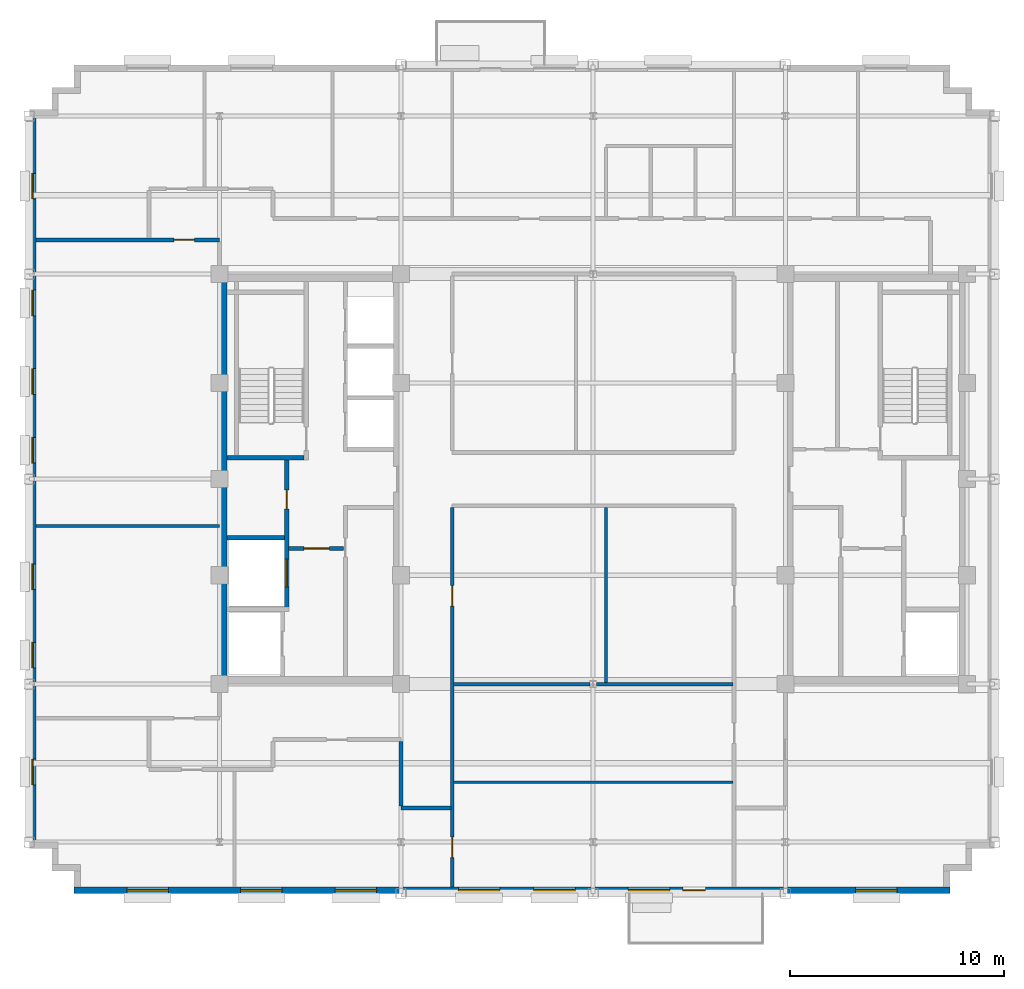
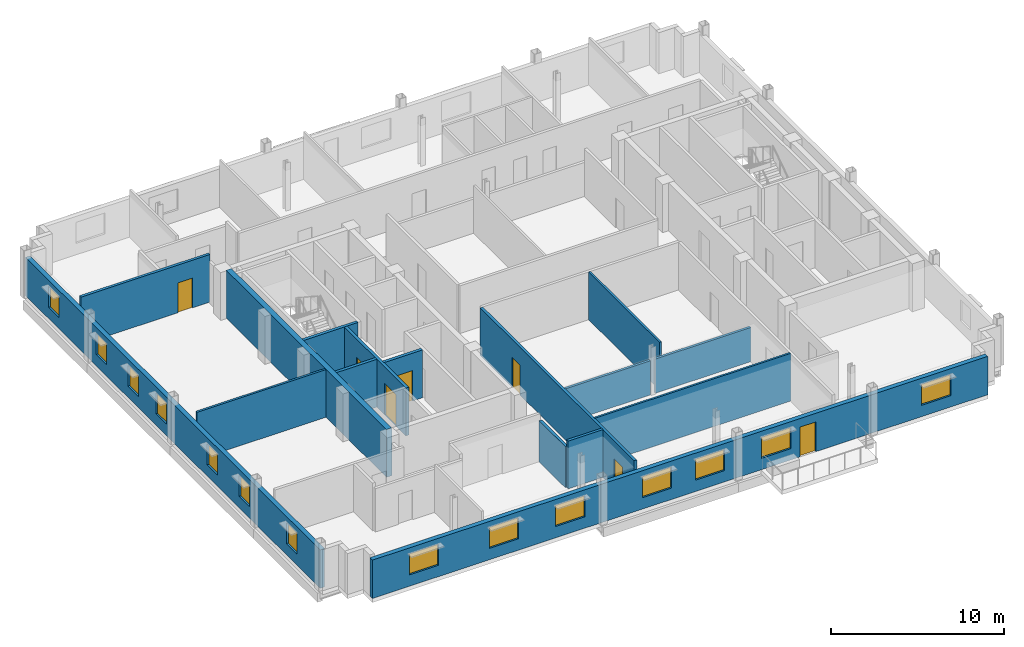
# One storey, part 6 of 13: 16 walls, 14 windows, 7 doors, 21 openings.
"""IFC4 building model written with IfcOpenShell, lengths in metres."""

from ifc_helpers import new_model, si_unit, direction, frame, frame_2d, origin, place, context, subcontext, project, spatial, rectangle, extrude, source, transform, mapped, material, layer, layer_set, type_object, type_shapes, element, fill, save


model = new_model("IFC4")

# Units and contexts
model_context = context("Model", 3, precision=1e-05, world=origin(), true_north=direction((0.0, 1.0)))
body_context = subcontext(model_context, "Body", "Model", "MODEL_VIEW")
ifc_project = project(units=[si_unit("LENGTHUNIT", "METRE"), si_unit("AREAUNIT", "SQUARE_METRE"), si_unit("VOLUMEUNIT", "CUBIC_METRE"), si_unit("PLANEANGLEUNIT", "RADIAN"), si_unit("MASSUNIT", "GRAM", prefix="KILO")], contexts=[model_context])

# Site, building, storey
site_placement = place(None, origin())
site = spatial("IfcSite", under=ifc_project, at=site_placement, CompositionType="ELEMENT")
building_placement = place(site_placement, origin())
building = spatial("IfcBuilding", under=site, at=building_placement, Name="Nuvemarco Arch Tower", CompositionType="ELEMENT")
storey_placement = place(building_placement, frame((0.0, 0.0, 231.050048828125)))
storey = spatial("IfcBuildingStorey", under=building, at=storey_placement, Name="L61", CompositionType="ELEMENT", Elevation=231.050048828125)

# Wall, openings, door, windows
ifc_material_1 = material(Name="Precast concrete C45/55", Category="concrete")
ifc_layer_1 = layer(ifc_material_1, 0.300048828125, Name="EW-HIGH-300")
ifc_layer_set_1 = layer_set([ifc_layer_1], Name="Precast concrete C45/55")
wall_type_1 = type_object("IfcWallType", Name="EW-HIGH-300", PredefinedType="STANDARD", material=ifc_layer_set_1)
wall_1_placement = place(storey_placement, frame((-24.300048828125, -19.25, 0.0), z_axis=(0.0, 0.0, 1.0), x_axis=(1.0, 0.0, 0.0)))
wall_1 = element("IfcWall", 1, at=wall_1_placement, inside=storey, type_object=wall_type_1, Name="L61 exterior precast facade wall 1", PredefinedType="STANDARD", context=body_context, shape_type="SweptSolid", body=[
    extrude(rectangle(XDim=41.0, YDim=0.300048828125, at=frame_2d((20.5, 0.0))), origin(), (0.0, 0.0, 1.0), 2.704833984375),
])
opening_1_placement = place(wall_1_placement, frame((29.550048828125, 0.0, 0.0), z_axis=(0.0, 0.0, 1.0), x_axis=(-1.0, 0.0, 0.0)))
opening_1 = element("IfcOpeningElement", 2, at=opening_1_placement, cuts=wall_1, Name="Opening ED-5", PredefinedType="OPENING", context=body_context, shape_type="SweptSolid", body=[
    extrude(rectangle(XDim=1.050048828125, YDim=2.10009765625, at=frame_2d((0.52490234375, 1.050048828125))), frame((0.0, 0.159912109375, 0.0), z_axis=(0.0, -1.0, 0.0), x_axis=(1.0, 0.0, 0.0)), (0.0, 0.0, 1.0), 0.320068359375),
])
opening_2_placement = place(wall_1_placement, frame((2.46240234375, 0.0, 0.800048828125)))
opening_2 = element("IfcOpeningElement", 3, at=opening_2_placement, cuts=wall_1, Name="Opening WN-7", PredefinedType="OPENING", context=body_context, shape_type="SweptSolid", body=[
    extrude(rectangle(XDim=1.949951171875, YDim=1.47998046875, at=frame_2d((0.97509765625, 0.739990234375))), frame((0.0, 0.159912109375, 0.0), z_axis=(0.0, -1.0, 0.0), x_axis=(1.0, 0.0, 0.0)), (0.0, 0.0, 1.0), 0.320068359375),
])
opening_3_placement = place(wall_1_placement, frame((7.78759765625, 0.0, 0.800048828125)))
opening_3 = element("IfcOpeningElement", 4, at=opening_3_placement, cuts=wall_1, Name="Opening WN-7", PredefinedType="OPENING", context=body_context, shape_type="SweptSolid", body=[
    extrude(rectangle(XDim=1.949951171875, YDim=1.47998046875, at=frame_2d((0.97509765625, 0.739990234375))), frame((0.0, 0.159912109375, 0.0), z_axis=(0.0, -1.0, 0.0), x_axis=(1.0, 0.0, 0.0)), (0.0, 0.0, 1.0), 0.320068359375),
])
opening_4_placement = place(wall_1_placement, frame((12.21240234375, 0.0, 0.800048828125)))
opening_4 = element("IfcOpeningElement", 5, at=opening_4_placement, cuts=wall_1, Name="Opening WN-7", PredefinedType="OPENING", context=body_context, shape_type="SweptSolid", body=[
    extrude(rectangle(XDim=1.949951171875, YDim=1.47998046875, at=frame_2d((0.97509765625, 0.739990234375))), frame((0.0, 0.159912109375, 0.0), z_axis=(0.0, -1.0, 0.0), x_axis=(1.0, 0.0, 0.0)), (0.0, 0.0, 1.0), 0.320068359375),
])
opening_5_placement = place(wall_1_placement, frame((17.987548828125, 0.0, 0.800048828125)))
opening_5 = element("IfcOpeningElement", 6, at=opening_5_placement, cuts=wall_1, Name="Opening WN-7", PredefinedType="OPENING", context=body_context, shape_type="SweptSolid", body=[
    extrude(rectangle(XDim=1.949951171875, YDim=1.47998046875, at=frame_2d((0.97509765625, 0.739990234375))), frame((0.0, 0.159912109375, 0.0), z_axis=(0.0, -1.0, 0.0), x_axis=(1.0, 0.0, 0.0)), (0.0, 0.0, 1.0), 0.320068359375),
])
opening_6_placement = place(wall_1_placement, frame((21.512451171875, 0.0, 0.800048828125)))
opening_6 = element("IfcOpeningElement", 7, at=opening_6_placement, cuts=wall_1, Name="Opening WN-7", PredefinedType="OPENING", context=body_context, shape_type="SweptSolid", body=[
    extrude(rectangle(XDim=1.949951171875, YDim=1.47998046875, at=frame_2d((0.97509765625, 0.739990234375))), frame((0.0, 0.159912109375, 0.0), z_axis=(0.0, -1.0, 0.0), x_axis=(1.0, 0.0, 0.0)), (0.0, 0.0, 1.0), 0.320068359375),
])
opening_7_placement = place(wall_1_placement, frame((25.9375, 0.0, 0.800048828125)))
opening_7 = element("IfcOpeningElement", 8, at=opening_7_placement, cuts=wall_1, Name="Opening WN-7", PredefinedType="OPENING", context=body_context, shape_type="SweptSolid", body=[
    extrude(rectangle(XDim=1.949951171875, YDim=1.47998046875, at=frame_2d((0.97509765625, 0.739990234375))), frame((0.0, 0.159912109375, 0.0), z_axis=(0.0, -1.0, 0.0), x_axis=(1.0, 0.0, 0.0)), (0.0, 0.0, 1.0), 0.320068359375),
])
opening_8_placement = place(wall_1_placement, frame((36.58740234375, 0.0, 0.800048828125)))
opening_8 = element("IfcOpeningElement", 9, at=opening_8_placement, cuts=wall_1, Name="Opening WN-7", PredefinedType="OPENING", context=body_context, shape_type="SweptSolid", body=[
    extrude(rectangle(XDim=1.949951171875, YDim=1.47998046875, at=frame_2d((0.97509765625, 0.739990234375))), frame((0.0, 0.159912109375, 0.0), z_axis=(0.0, -1.0, 0.0), x_axis=(1.0, 0.0, 0.0)), (0.0, 0.0, 1.0), 0.320068359375),
])
ifc_material_2 = material(Name="Anodised bronze and laminated glass", Category="glass")
door_type_1 = type_object("IfcDoorType", Name="DR-EXT-TERR", OperationType="NOTDEFINED", PredefinedType="DOOR", material=ifc_material_2)
shared_shape_1 = source(origin(), body_context, "Body", "SweptSolid", [
    extrude(rectangle(XDim=1.050048828125, YDim=2.10009765625, at=frame_2d((0.52490234375, 1.050048828125))), frame((0.0, 0.02490234375, 0.0), z_axis=(0.0, -1.0, 0.0), x_axis=(1.0, 0.0, 0.0)), (0.0, 0.0, 1.0), 0.050048828125),
])
type_shapes(door_type_1, [shared_shape_1])
door_1_placement = place(opening_1_placement, origin())
door_1 = element("IfcDoor", 10, at=door_1_placement, inside=storey, type_object=door_type_1, Name="L61 spiral terrace access door", OperationType="SINGLE_SWING_RIGHT", OverallHeight=2.10009765625, OverallWidth=1.050048828125, PredefinedType="DOOR", context=body_context, shape_type="MappedRepresentation", body=[
    mapped(shared_shape_1, transform((0.0, 0.0, 0.0), scale=1.0)),
])
fill(opening_1, door_1)
ifc_material_3 = material(Name="Insulated solar-control glass", Category="glass")
window_type_1 = type_object("IfcWindowType", Name="WN-HIGH-1950x1480", PartitioningType="DOUBLE_PANEL_VERTICAL", PredefinedType="WINDOW", material=ifc_material_3)
shared_shape_2 = source(origin(), body_context, "Body", "SweptSolid", [
    extrude(rectangle(XDim=1.949951171875, YDim=1.47998046875, at=frame_2d((0.97509765625, 0.739990234375))), frame((0.0, 0.030029296875, 0.0), z_axis=(0.0, -1.0, 0.0), x_axis=(1.0, 0.0, 0.0)), (0.0, 0.0, 1.0), 0.06005859375),
])
type_shapes(window_type_1, [shared_shape_2])
window_1_placement = place(opening_2_placement, origin())
window_1 = element("IfcWindow", 11, at=window_1_placement, inside=storey, type_object=window_type_1, Name="L61 punched facade window 1", OverallHeight=1.47998046875, OverallWidth=1.949951171875, PartitioningType="SINGLE_PANEL", PredefinedType="WINDOW", context=body_context, shape_type="MappedRepresentation", body=[
    mapped(shared_shape_2, transform((0.0, 0.0, 0.0), scale=1.0)),
])
fill(opening_2, window_1)
window_2_placement = place(opening_3_placement, origin())
window_2 = element("IfcWindow", 12, at=window_2_placement, inside=storey, type_object=window_type_1, Name="L61 punched facade window 2", OverallHeight=1.47998046875, OverallWidth=1.949951171875, PartitioningType="SINGLE_PANEL", PredefinedType="WINDOW", context=body_context, shape_type="MappedRepresentation", body=[
    mapped(shared_shape_2, transform((0.0, 0.0, 0.0), scale=1.0)),
])
fill(opening_3, window_2)
window_3_placement = place(opening_4_placement, origin())
window_3 = element("IfcWindow", 13, at=window_3_placement, inside=storey, type_object=window_type_1, Name="L61 punched facade window 3", OverallHeight=1.47998046875, OverallWidth=1.949951171875, PartitioningType="SINGLE_PANEL", PredefinedType="WINDOW", context=body_context, shape_type="MappedRepresentation", body=[
    mapped(shared_shape_2, transform((0.0, 0.0, 0.0), scale=1.0)),
])
fill(opening_4, window_3)
window_4_placement = place(opening_5_placement, origin())
window_4 = element("IfcWindow", 14, at=window_4_placement, inside=storey, type_object=window_type_1, Name="L61 punched facade window 4", OverallHeight=1.47998046875, OverallWidth=1.949951171875, PartitioningType="SINGLE_PANEL", PredefinedType="WINDOW", context=body_context, shape_type="MappedRepresentation", body=[
    mapped(shared_shape_2, transform((0.0, 0.0, 0.0), scale=1.0)),
])
fill(opening_5, window_4)
window_5_placement = place(opening_6_placement, origin())
window_5 = element("IfcWindow", 15, at=window_5_placement, inside=storey, type_object=window_type_1, Name="L61 punched facade window 5", OverallHeight=1.47998046875, OverallWidth=1.949951171875, PartitioningType="SINGLE_PANEL", PredefinedType="WINDOW", context=body_context, shape_type="MappedRepresentation", body=[
    mapped(shared_shape_2, transform((0.0, 0.0, 0.0), scale=1.0)),
])
fill(opening_6, window_5)
window_6_placement = place(opening_7_placement, origin())
window_6 = element("IfcWindow", 16, at=window_6_placement, inside=storey, type_object=window_type_1, Name="L61 punched facade window 6", OverallHeight=1.47998046875, OverallWidth=1.949951171875, PartitioningType="SINGLE_PANEL", PredefinedType="WINDOW", context=body_context, shape_type="MappedRepresentation", body=[
    mapped(shared_shape_2, transform((0.0, 0.0, 0.0), scale=1.0)),
])
fill(opening_7, window_6)
window_7_placement = place(opening_8_placement, origin())
window_7 = element("IfcWindow", 17, at=window_7_placement, inside=storey, type_object=window_type_1, Name="L61 punched facade window 8", OverallHeight=1.47998046875, OverallWidth=1.949951171875, PartitioningType="SINGLE_PANEL", PredefinedType="WINDOW", context=body_context, shape_type="MappedRepresentation", body=[
    mapped(shared_shape_2, transform((0.0, 0.0, 0.0), scale=1.0)),
])
fill(opening_8, window_7)

# Wall, openings, windows
wall_2_placement = place(storey_placement, frame((-26.25, -17.00390625, 0.0), z_axis=(0.0, 0.0, 1.0), x_axis=(0.0, 1.0, 0.0)))
wall_2 = element("IfcWall", 18, at=wall_2_placement, inside=storey, type_object=wall_type_1, Name="L61 exterior precast facade wall 16", PredefinedType="STANDARD", context=body_context, shape_type="SweptSolid", body=[
    extrude(rectangle(XDim=34.0078125, YDim=0.300048828125, at=frame_2d((17.00390625, 0.0))), origin(), (0.0, 0.0, 1.0), 2.704833984375),
])
opening_9_placement = place(wall_2_placement, frame((2.686279296875, 0.0, 0.800048828125)))
opening_9 = element("IfcOpeningElement", 19, at=opening_9_placement, cuts=wall_2, Name="Opening WN-8", PredefinedType="OPENING", context=body_context, shape_type="SweptSolid", body=[
    extrude(rectangle(XDim=1.199951171875, YDim=1.47998046875, at=frame_2d((0.60009765625, 0.739990234375))), frame((0.0, 0.159912109375, 0.0), z_axis=(0.0, -1.0, 0.0), x_axis=(1.0, 0.0, 0.0)), (0.0, 0.0, 1.0), 0.320068359375),
])
opening_10_placement = place(wall_2_placement, frame((8.158935546875, 0.0, 0.800048828125)))
opening_10 = element("IfcOpeningElement", 20, at=opening_10_placement, cuts=wall_2, Name="Opening WN-8", PredefinedType="OPENING", context=body_context, shape_type="SweptSolid", body=[
    extrude(rectangle(XDim=1.199951171875, YDim=1.47998046875, at=frame_2d((0.60009765625, 0.739990234375))), frame((0.0, 0.159912109375, 0.0), z_axis=(0.0, -1.0, 0.0), x_axis=(1.0, 0.0, 0.0)), (0.0, 0.0, 1.0), 0.320068359375),
])
opening_11_placement = place(wall_2_placement, frame((11.831298828125, 0.0, 0.800048828125)))
opening_11 = element("IfcOpeningElement", 21, at=opening_11_placement, cuts=wall_2, Name="Opening WN-8", PredefinedType="OPENING", context=body_context, shape_type="SweptSolid", body=[
    extrude(rectangle(XDim=1.199951171875, YDim=1.47998046875, at=frame_2d((0.60009765625, 0.739990234375))), frame((0.0, 0.159912109375, 0.0), z_axis=(0.0, -1.0, 0.0), x_axis=(1.0, 0.0, 0.0)), (0.0, 0.0, 1.0), 0.320068359375),
])
opening_12_placement = place(wall_2_placement, frame((17.75390625, 0.0, 0.800048828125)))
opening_12 = element("IfcOpeningElement", 22, at=opening_12_placement, cuts=wall_2, Name="Opening WN-8", PredefinedType="OPENING", context=body_context, shape_type="SweptSolid", body=[
    extrude(rectangle(XDim=1.199951171875, YDim=1.47998046875, at=frame_2d((0.60009765625, 0.739990234375))), frame((0.0, 0.159912109375, 0.0), z_axis=(0.0, -1.0, 0.0), x_axis=(1.0, 0.0, 0.0)), (0.0, 0.0, 1.0), 0.320068359375),
])
opening_13_placement = place(wall_2_placement, frame((20.9765625, 0.0, 0.800048828125)))
opening_13 = element("IfcOpeningElement", 23, at=opening_13_placement, cuts=wall_2, Name="Opening WN-8", PredefinedType="OPENING", context=body_context, shape_type="SweptSolid", body=[
    extrude(rectangle(XDim=1.199951171875, YDim=1.47998046875, at=frame_2d((0.60009765625, 0.739990234375))), frame((0.0, 0.159912109375, 0.0), z_axis=(0.0, -1.0, 0.0), x_axis=(1.0, 0.0, 0.0)), (0.0, 0.0, 1.0), 0.320068359375),
])
opening_14_placement = place(wall_2_placement, frame((24.649169921875, 0.0, 0.800048828125)))
opening_14 = element("IfcOpeningElement", 24, at=opening_14_placement, cuts=wall_2, Name="Opening WN-8", PredefinedType="OPENING", context=body_context, shape_type="SweptSolid", body=[
    extrude(rectangle(XDim=1.199951171875, YDim=1.47998046875, at=frame_2d((0.60009765625, 0.739990234375))), frame((0.0, 0.159912109375, 0.0), z_axis=(0.0, -1.0, 0.0), x_axis=(1.0, 0.0, 0.0)), (0.0, 0.0, 1.0), 0.320068359375),
])
opening_15_placement = place(wall_2_placement, frame((30.12158203125, 0.0, 0.800048828125)))
opening_15 = element("IfcOpeningElement", 25, at=opening_15_placement, cuts=wall_2, Name="Opening WN-8", PredefinedType="OPENING", context=body_context, shape_type="SweptSolid", body=[
    extrude(rectangle(XDim=1.199951171875, YDim=1.47998046875, at=frame_2d((0.60009765625, 0.739990234375))), frame((0.0, 0.159912109375, 0.0), z_axis=(0.0, -1.0, 0.0), x_axis=(1.0, 0.0, 0.0)), (0.0, 0.0, 1.0), 0.320068359375),
])
window_type_2 = type_object("IfcWindowType", Name="WN-HIGH-1200x1480", PartitioningType="SINGLE_PANEL", PredefinedType="WINDOW", material=ifc_material_3)
shared_shape_3 = source(origin(), body_context, "Body", "SweptSolid", [
    extrude(rectangle(XDim=1.199951171875, YDim=1.47998046875, at=frame_2d((0.60009765625, 0.739990234375))), frame((0.0, 0.030029296875, 0.0), z_axis=(0.0, -1.0, 0.0), x_axis=(1.0, 0.0, 0.0)), (0.0, 0.0, 1.0), 0.06005859375),
])
type_shapes(window_type_2, [shared_shape_3])
window_8_placement = place(opening_9_placement, origin())
window_8 = element("IfcWindow", 26, at=window_8_placement, inside=storey, type_object=window_type_2, Name="L61 punched facade window 1", OverallHeight=1.47998046875, OverallWidth=1.199951171875, PartitioningType="SINGLE_PANEL", PredefinedType="WINDOW", context=body_context, shape_type="MappedRepresentation", body=[
    mapped(shared_shape_3, transform((0.0, 0.0, 0.0), scale=1.0)),
])
fill(opening_9, window_8)
window_9_placement = place(opening_10_placement, origin())
window_9 = element("IfcWindow", 27, at=window_9_placement, inside=storey, type_object=window_type_2, Name="L61 punched facade window 2", OverallHeight=1.47998046875, OverallWidth=1.199951171875, PartitioningType="SINGLE_PANEL", PredefinedType="WINDOW", context=body_context, shape_type="MappedRepresentation", body=[
    mapped(shared_shape_3, transform((0.0, 0.0, 0.0), scale=1.0)),
])
fill(opening_10, window_9)
window_10_placement = place(opening_11_placement, origin())
window_10 = element("IfcWindow", 28, at=window_10_placement, inside=storey, type_object=window_type_2, Name="L61 punched facade window 3", OverallHeight=1.47998046875, OverallWidth=1.199951171875, PartitioningType="SINGLE_PANEL", PredefinedType="WINDOW", context=body_context, shape_type="MappedRepresentation", body=[
    mapped(shared_shape_3, transform((0.0, 0.0, 0.0), scale=1.0)),
])
fill(opening_11, window_10)
window_11_placement = place(opening_12_placement, origin())
window_11 = element("IfcWindow", 29, at=window_11_placement, inside=storey, type_object=window_type_2, Name="L61 punched facade window 4", OverallHeight=1.47998046875, OverallWidth=1.199951171875, PartitioningType="SINGLE_PANEL", PredefinedType="WINDOW", context=body_context, shape_type="MappedRepresentation", body=[
    mapped(shared_shape_3, transform((0.0, 0.0, 0.0), scale=1.0)),
])
fill(opening_12, window_11)
window_12_placement = place(opening_13_placement, origin())
window_12 = element("IfcWindow", 30, at=window_12_placement, inside=storey, type_object=window_type_2, Name="L61 punched facade window 5", OverallHeight=1.47998046875, OverallWidth=1.199951171875, PartitioningType="SINGLE_PANEL", PredefinedType="WINDOW", context=body_context, shape_type="MappedRepresentation", body=[
    mapped(shared_shape_3, transform((0.0, 0.0, 0.0), scale=1.0)),
])
fill(opening_13, window_12)
window_13_placement = place(opening_14_placement, origin())
window_13 = element("IfcWindow", 31, at=window_13_placement, inside=storey, type_object=window_type_2, Name="L61 punched facade window 6", OverallHeight=1.47998046875, OverallWidth=1.199951171875, PartitioningType="SINGLE_PANEL", PredefinedType="WINDOW", context=body_context, shape_type="MappedRepresentation", body=[
    mapped(shared_shape_3, transform((0.0, 0.0, 0.0), scale=1.0)),
])
fill(opening_14, window_13)
window_14_placement = place(opening_15_placement, origin())
window_14 = element("IfcWindow", 32, at=window_14_placement, inside=storey, type_object=window_type_2, Name="L61 punched facade window 7", OverallHeight=1.47998046875, OverallWidth=1.199951171875, PartitioningType="SINGLE_PANEL", PredefinedType="WINDOW", context=body_context, shape_type="MappedRepresentation", body=[
    mapped(shared_shape_3, transform((0.0, 0.0, 0.0), scale=1.0)),
])
fill(opening_15, window_14)

# Walls
ifc_material_4 = material(Name="Concrete C50/60", Category="concrete")
ifc_layer_2 = layer(ifc_material_4, 0.35009765625, Name="WL-CORE-350")
ifc_layer_set_2 = layer_set([ifc_layer_2], Name="Concrete C50/60")
wall_type_2 = type_object("IfcWallType", Name="WL-CORE-350", PredefinedType="SHEAR", material=ifc_layer_set_2)
wall_3_placement = place(storey_placement, frame((-17.324951171875, -9.2548828125, 0.0), z_axis=(0.0, 0.0, 1.0), x_axis=(0.0, 1.0, 0.0)))
element("IfcWall", 33, at=wall_3_placement, inside=storey, type_object=wall_type_2, Name="L61 W-core shear wall W", PredefinedType="SHEAR", context=body_context, shape_type="SweptSolid", body=[
    extrude(rectangle(XDim=18.509765625, YDim=0.35009765625, at=frame_2d((9.2548828125, 0.0))), origin(), (0.0, 0.0, 1.0), 3.369873046875),
])
ifc_material_5 = material(Name="Fire-rated gypsum drywall partition")
ifc_layer_3 = layer(ifc_material_5, 0.179931640625, Name="WL-CORR-180")
ifc_layer_set_3 = layer_set([ifc_layer_3], Name="Fire-rated gypsum drywall partition")
wall_type_3 = type_object("IfcWallType", Name="WL-CORR-180", PredefinedType="PARTITIONING", material=ifc_layer_set_3)
wall_4_placement = place(storey_placement, frame((-9.0, -15.39990234375, 0.0), z_axis=(0.0, 0.0, 1.0), x_axis=(1.0, 0.0, 0.0)))
element("IfcWall", 34, at=wall_4_placement, inside=storey, type_object=wall_type_3, Name="L61 interior wall IW-L61-001", PredefinedType="PARTITIONING", context=body_context, shape_type="SweptSolid", body=[
    extrude(rectangle(XDim=2.339111328125, YDim=0.179931640625, at=frame_2d((1.16943359375, 0.0))), origin(), (0.0, 0.0, 1.0), 3.35986328125),
])

# Wall, opening, door
wall_5_placement = place(storey_placement, frame((-26.10009765625, 11.199951171875, 0.0), z_axis=(0.0, 0.0, 1.0), x_axis=(1.0, 0.0, 0.0)))
wall_5 = element("IfcWall", 35, at=wall_5_placement, inside=storey, type_object=wall_type_3, Name="L61 interior wall IW-L61-014", PredefinedType="PARTITIONING", context=body_context, shape_type="SweptSolid", body=[
    extrude(rectangle(XDim=8.60009765625, YDim=0.179931640625, at=frame_2d((4.300048828125, 0.0))), origin(), (0.0, 0.0, 1.0), 3.35986328125),
])
opening_16_placement = place(wall_5_placement, frame((6.469970703125, 0.0, 0.0)))
opening_16 = element("IfcOpeningElement", 36, at=opening_16_placement, cuts=wall_5, Name="Opening FD-5", PredefinedType="OPENING", context=body_context, shape_type="SweptSolid", body=[
    extrude(rectangle(XDim=0.9599609375, YDim=2.10009765625, at=frame_2d((0.47998046875, 1.050048828125))), frame((0.0, 0.099853515625, 0.0), z_axis=(0.0, -1.0, 0.0), x_axis=(1.0, 0.0, 0.0)), (0.0, 0.0, 1.0), 0.199951171875),
])
ifc_material_6 = material(Name="Timber fire door", Category="wood")
door_type_2 = type_object("IfcDoorType", Name="DR-CORR-FD", OperationType="NOTDEFINED", PredefinedType="DOOR", material=ifc_material_6)
shared_shape_4 = source(origin(), body_context, "Body", "SweptSolid", [
    extrude(rectangle(XDim=0.9599609375, YDim=2.10009765625, at=frame_2d((0.47998046875, 1.050048828125))), frame((0.0, 0.02490234375, 0.0), z_axis=(0.0, -1.0, 0.0), x_axis=(1.0, 0.0, 0.0)), (0.0, 0.0, 1.0), 0.050048828125),
])
type_shapes(door_type_2, [shared_shape_4])
door_2_placement = place(opening_16_placement, origin())
door_2 = element("IfcDoor", 37, at=door_2_placement, inside=storey, type_object=door_type_2, Name="L61 door DR-L61-W_2", OperationType="SINGLE_SWING_RIGHT", OverallHeight=2.10009765625, OverallWidth=0.9599609375, PredefinedType="DOOR", context=body_context, shape_type="MappedRepresentation", body=[
    mapped(shared_shape_4, transform((0.0, 0.0, 0.0), scale=1.0)),
])
fill(opening_16, door_2)

# Wall
wall_6_placement = place(storey_placement, frame((-9.0, -15.31396484375, 0.0), z_axis=(0.0, 0.0, 1.0), x_axis=(0.0, 1.0, 0.0)))
element("IfcWall", 38, at=wall_6_placement, inside=storey, type_object=wall_type_3, Name="L61 interior wall IW-L61-027", PredefinedType="PARTITIONING", context=body_context, shape_type="SweptSolid", body=[
    extrude(rectangle(XDim=3.028076171875, YDim=0.179931640625, at=frame_2d((1.51416015625, 0.0))), origin(), (0.0, 0.0, 1.0), 2.891845703125),
])

# Wall, openings, doors
wall_7_placement = place(storey_placement, frame((-6.60009765625, -19.10009765625, 0.0), z_axis=(0.0, 0.0, 1.0), x_axis=(0.0, 1.0, 0.0)))
wall_7 = element("IfcWall", 39, at=wall_7_placement, inside=storey, type_object=wall_type_3, Name="L61 interior wall IW-L61-028", PredefinedType="PARTITIONING", context=body_context, shape_type="SweptSolid", body=[
    extrude(rectangle(XDim=17.76416015625, YDim=0.179931640625, at=frame_2d((8.882080078125, 0.0))), origin(), (0.0, 0.0, 1.0), 3.35986328125),
])
opening_17_placement = place(wall_7_placement, frame((13.152099609375, 0.0, 0.0)))
opening_17 = element("IfcOpeningElement", 40, at=opening_17_placement, cuts=wall_7, Name="Opening FD-5", PredefinedType="OPENING", context=body_context, shape_type="SweptSolid", body=[
    extrude(rectangle(XDim=0.9599609375, YDim=2.10009765625, at=frame_2d((0.47998046875, 1.050048828125))), frame((0.0, 0.099853515625, 0.0), z_axis=(0.0, -1.0, 0.0), x_axis=(1.0, 0.0, 0.0)), (0.0, 0.0, 1.0), 0.199951171875),
])
opening_18_placement = place(wall_7_placement, frame((1.3701171875, 0.0, 0.0)))
opening_18 = element("IfcOpeningElement", 41, at=opening_18_placement, cuts=wall_7, Name="Opening FD-5", PredefinedType="OPENING", context=body_context, shape_type="SweptSolid", body=[
    extrude(rectangle(XDim=0.9599609375, YDim=2.10009765625, at=frame_2d((0.47998046875, 1.050048828125))), frame((0.0, 0.099853515625, 0.0), z_axis=(0.0, -1.0, 0.0), x_axis=(1.0, 0.0, 0.0)), (0.0, 0.0, 1.0), 0.199951171875),
])
door_3_placement = place(opening_17_placement, origin())
door_3 = element("IfcDoor", 42, at=door_3_placement, inside=storey, type_object=door_type_2, Name="L61 door DR-L61-C_S1", OperationType="SINGLE_SWING_RIGHT", OverallHeight=2.10009765625, OverallWidth=0.9599609375, PredefinedType="DOOR", context=body_context, shape_type="MappedRepresentation", body=[
    mapped(shared_shape_4, transform((0.0, 0.0, 0.0), scale=1.0)),
])
fill(opening_17, door_3)
door_4_placement = place(opening_18_placement, origin())
door_4 = element("IfcDoor", 43, at=door_4_placement, inside=storey, type_object=door_type_2, Name="L61 door DR-L61-S_4", OperationType="SINGLE_SWING_LEFT", OverallHeight=2.10009765625, OverallWidth=0.9599609375, PredefinedType="DOOR", context=body_context, shape_type="MappedRepresentation", body=[
    mapped(shared_shape_4, transform((0.0, 0.0, 0.0), scale=1.0)),
])
fill(opening_18, door_4)

# Walls
ifc_material_7 = material(Name="Glazed acoustic office partition")
ifc_layer_4 = layer(ifc_material_7, 0.1298828125, Name="WL-EXEC-130")
ifc_layer_set_4 = layer_set([ifc_layer_4], Name="Glazed acoustic office partition")
wall_type_4 = type_object("IfcWallType", Name="WL-EXEC-130", PredefinedType="PARTITIONING", material=ifc_layer_set_4)
wall_8_placement = place(storey_placement, frame((-6.5390625, -14.199951171875, 0.0), z_axis=(0.0, 0.0, 1.0), x_axis=(1.0, 0.0, 0.0)))
element("IfcWall", 44, at=wall_8_placement, inside=storey, type_object=wall_type_4, Name="L61 interior wall IW-L61-003", PredefinedType="PARTITIONING", context=body_context, shape_type="SweptSolid", body=[
    extrude(rectangle(XDim=13.078125, YDim=0.1298828125, at=frame_2d((6.5390625, 0.0))), origin(), (0.0, 0.0, 1.0), 3.35986328125),
])
ifc_material_8 = material(Name="Gypsum plasterboard partition")
ifc_layer_5 = layer(ifc_material_8, 0.139892578125, Name="WL-ROOM-140")
ifc_layer_set_5 = layer_set([ifc_layer_5], Name="Gypsum plasterboard partition")
wall_type_5 = type_object("IfcWallType", Name="WL-ROOM-140", PredefinedType="PARTITIONING", material=ifc_layer_set_5)
wall_9_placement = place(storey_placement, frame((-26.10009765625, -2.199951171875, 0.0), z_axis=(0.0, 0.0, 1.0), x_axis=(1.0, 0.0, 0.0)))
element("IfcWall", 45, at=wall_9_placement, inside=storey, type_object=wall_type_5, Name="L61 interior wall IW-L61-009", PredefinedType="PARTITIONING", context=body_context, shape_type="SweptSolid", body=[
    extrude(rectangle(XDim=8.60009765625, YDim=0.139892578125, at=frame_2d((4.300048828125, 0.0))), origin(), (0.0, 0.0, 1.0), 3.35986328125),
])
wall_10_placement = place(storey_placement, frame((0.60009765625, -9.52392578125, 0.0), z_axis=(0.0, 0.0, 1.0), x_axis=(0.0, 1.0, 0.0)))
element("IfcWall", 46, at=wall_10_placement, inside=storey, type_object=wall_type_5, Name="L61 interior wall IW-L61-032", PredefinedType="PARTITIONING", context=body_context, shape_type="SweptSolid", body=[
    extrude(rectangle(XDim=8.18798828125, YDim=0.139892578125, at=frame_2d((4.093994140625, 0.0))), origin(), (0.0, 0.0, 1.0), 3.35986328125),
])
ifc_layer_6 = layer(ifc_material_4, 0.199951171875, Name="WL-SHAFT-220")
ifc_layer_set_6 = layer_set([ifc_layer_6], Name="Concrete C50/60")
wall_type_6 = type_object("IfcWallType", Name="WL-SHAFT-220", PredefinedType="SHEAR", material=ifc_layer_set_6)
wall_11_placement = place(storey_placement, frame((-17.155029296875, 1.0, 0.0), z_axis=(0.0, 0.0, 1.0), x_axis=(1.0, 0.0, 0.0)))
element("IfcWall", 47, at=wall_11_placement, inside=storey, type_object=wall_type_6, Name="L61 structural shaft wall SW-L61-W-ST1S", PredefinedType="SHEAR", context=body_context, shape_type="SweptSolid", body=[
    extrude(rectangle(XDim=3.6201171875, YDim=0.199951171875, at=frame_2d((1.81005859375, 0.0))), origin(), (0.0, 0.0, 1.0), 3.369873046875),
])

# Wall, openings, doors
wall_12_placement = place(storey_placement, frame((-14.35009765625, -6.199951171875, 0.0), z_axis=(0.0, 0.0, 1.0), x_axis=(0.0, 1.0, 0.0)))
wall_12 = element("IfcWall", 48, at=wall_12_placement, inside=storey, type_object=wall_type_6, Name="L61 structural shaft wall SW-L61-W-SVE", PredefinedType="SHEAR", context=body_context, shape_type="SweptSolid", body=[
    extrude(rectangle(XDim=7.10498046875, YDim=0.199951171875, at=frame_2d((3.552490234375, 0.0))), origin(), (0.0, 0.0, 1.0), 3.369873046875),
])
opening_19_placement = place(wall_12_placement, frame((5.68994140625, 0.0, 0.0), z_axis=(0.0, 0.0, 1.0), x_axis=(-1.0, 0.0, 0.0)))
opening_19 = element("IfcOpeningElement", 49, at=opening_19_placement, cuts=wall_12, Name="Opening FD-4", PredefinedType="OPENING", context=body_context, shape_type="SweptSolid", body=[
    extrude(rectangle(XDim=0.8798828125, YDim=2.10009765625, at=frame_2d((0.43994140625, 1.050048828125))), frame((0.0, 0.10986328125, 0.0), z_axis=(0.0, -1.0, 0.0), x_axis=(1.0, 0.0, 0.0)), (0.0, 0.0, 1.0), 0.219970703125),
])
opening_20_placement = place(wall_12_placement, frame((1.14990234375, 0.0, 0.0)))
opening_20 = element("IfcOpeningElement", 50, at=opening_20_placement, cuts=wall_12, Name="Opening LD-3", PredefinedType="OPENING", context=body_context, shape_type="SweptSolid", body=[
    extrude(rectangle(XDim=1.300048828125, YDim=2.199951171875, at=frame_2d((0.64990234375, 1.10009765625))), frame((0.0, 0.10986328125, 0.0), z_axis=(0.0, -1.0, 0.0), x_axis=(1.0, 0.0, 0.0)), (0.0, 0.0, 1.0), 0.219970703125),
])
ifc_material_9 = material(Name="Anodised steel fire door", Category="steel")
door_type_3 = type_object("IfcDoorType", Name="DR-RISER-FD", OperationType="NOTDEFINED", PredefinedType="DOOR", material=ifc_material_9)
shared_shape_5 = source(origin(), body_context, "Body", "SweptSolid", [
    extrude(rectangle(XDim=0.8798828125, YDim=2.10009765625, at=frame_2d((0.43994140625, 1.050048828125))), frame((0.0, 0.02490234375, 0.0), z_axis=(0.0, -1.0, 0.0), x_axis=(1.0, 0.0, 0.0)), (0.0, 0.0, 1.0), 0.050048828125),
])
type_shapes(door_type_3, [shared_shape_5])
door_5_placement = place(opening_19_placement, origin())
door_5 = element("IfcDoor", 51, at=door_5_placement, inside=storey, type_object=door_type_3, Name="L61 door FD-L61-WRIS", OperationType="SINGLE_SWING_RIGHT", OverallHeight=2.10009765625, OverallWidth=0.8798828125, PredefinedType="DOOR", context=body_context, shape_type="MappedRepresentation", body=[
    mapped(shared_shape_5, transform((0.0, 0.0, 0.0), scale=1.0)),
])
fill(opening_19, door_5)
ifc_material_10 = material(Name="Stainless steel lift door", Category="steel")
door_type_4 = type_object("IfcDoorType", Name="DR-LIFT-SERV", OperationType="DOUBLE_DOOR_SLIDING", PredefinedType="DOOR", material=ifc_material_10)
shared_shape_6 = source(origin(), body_context, "Body", "SweptSolid", [
    extrude(rectangle(XDim=1.300048828125, YDim=2.199951171875, at=frame_2d((0.64990234375, 1.10009765625))), frame((0.0, 0.02490234375, 0.0), z_axis=(0.0, -1.0, 0.0), x_axis=(1.0, 0.0, 0.0)), (0.0, 0.0, 1.0), 0.050048828125),
])
type_shapes(door_type_4, [shared_shape_6])
door_6_placement = place(opening_20_placement, origin())
door_6 = element("IfcDoor", 52, at=door_6_placement, inside=storey, type_object=door_type_4, Name="L61 Lift landing sliding door SVL-1", OperationType="DOUBLE_DOOR_SLIDING", OverallHeight=2.199951171875, OverallWidth=1.300048828125, PredefinedType="DOOR", context=body_context, shape_type="MappedRepresentation", body=[
    mapped(shared_shape_6, transform((0.0, 0.0, 0.0), scale=1.0)),
])
fill(opening_20, door_6)

# Wall
wall_13_placement = place(storey_placement, frame((-17.155029296875, -2.75, 0.0), z_axis=(0.0, 0.0, 1.0), x_axis=(1.0, 0.0, 0.0)))
element("IfcWall", 53, at=wall_13_placement, inside=storey, type_object=wall_type_6, Name="L61 structural shaft wall SW-L61-W-SH2", PredefinedType="SHEAR", context=body_context, shape_type="SweptSolid", body=[
    extrude(rectangle(XDim=2.7099609375, YDim=0.199951171875, at=frame_2d((1.35498046875, 0.0))), origin(), (0.0, 0.0, 1.0), 3.369873046875),
])

# Wall, opening, door
wall_14_placement = place(storey_placement, frame((-14.2548828125, -3.25, 0.0), z_axis=(0.0, 0.0, 1.0), x_axis=(1.0, 0.0, 0.0)))
wall_14 = element("IfcWall", 54, at=wall_14_placement, inside=storey, type_object=wall_type_6, Name="L61 structural shaft wall SW-L61-W-FFN", PredefinedType="SHEAR", context=body_context, shape_type="SweptSolid", body=[
    extrude(rectangle(XDim=2.559814453125, YDim=0.199951171875, at=frame_2d((1.27978515625, 0.0))), origin(), (0.0, 0.0, 1.0), 3.369873046875),
])
opening_21_placement = place(wall_14_placement, frame((0.705078125, 0.0, 0.0)))
opening_21 = element("IfcOpeningElement", 55, at=opening_21_placement, cuts=wall_14, Name="Opening FD-2", PredefinedType="OPENING", context=body_context, shape_type="SweptSolid", body=[
    extrude(rectangle(XDim=1.199951171875, YDim=2.14990234375, at=frame_2d((0.60009765625, 1.074951171875))), frame((0.0, 0.10986328125, 0.0), z_axis=(0.0, -1.0, 0.0), x_axis=(1.0, 0.0, 0.0)), (0.0, 0.0, 1.0), 0.219970703125),
])
door_type_5 = type_object("IfcDoorType", Name="DR-FFLOB-FD", OperationType="NOTDEFINED", PredefinedType="DOOR", material=ifc_material_9)
shared_shape_7 = source(origin(), body_context, "Body", "SweptSolid", [
    extrude(rectangle(XDim=1.199951171875, YDim=2.14990234375, at=frame_2d((0.60009765625, 1.074951171875))), frame((0.0, 0.02490234375, 0.0), z_axis=(0.0, -1.0, 0.0), x_axis=(1.0, 0.0, 0.0)), (0.0, 0.0, 1.0), 0.050048828125),
])
type_shapes(door_type_5, [shared_shape_7])
door_7_placement = place(opening_21_placement, origin())
door_7 = element("IfcDoor", 56, at=door_7_placement, inside=storey, type_object=door_type_5, Name="L61 door FD-L61-WFF1", OperationType="SINGLE_SWING_RIGHT", OverallHeight=2.14990234375, OverallWidth=1.199951171875, PredefinedType="DOOR", context=body_context, shape_type="MappedRepresentation", body=[
    mapped(shared_shape_7, transform((0.0, 0.0, 0.0), scale=1.0)),
])
fill(opening_21, door_7)

# Walls
ifc_material_11 = material(Name="Acoustic gypsum drywall partition")
ifc_layer_7 = layer(ifc_material_11, 0.159912109375, Name="WL-TENANT-160")
ifc_layer_set_7 = layer_set([ifc_layer_7], Name="Acoustic gypsum drywall partition")
wall_type_7 = type_object("IfcWallType", Name="WL-TENANT-160", PredefinedType="PARTITIONING", material=ifc_layer_set_7)
for number, where, z_axis, x_axis, name in (
    (57, (-6.5390625, -9.60009765625, 0.0), (0.0, 0.0, 1.0), (1.0, 0.0, 0.0), "L61 interior wall IW-L61-007"),
    (58, (0.15087890625, -9.60009765625, 0.0), (0.0, 0.0, 1.0), (1.0, 0.0, 0.0), "L61 interior wall IW-L61-008"),
):
    element("IfcWall", number, at=place(storey_placement, frame(where, z_axis=z_axis, x_axis=x_axis)), inside=storey, type_object=wall_type_7, Name=name, PredefinedType="PARTITIONING", context=body_context, shape_type="SweptSolid", body=[
        extrude(rectangle(XDim=6.38818359375, YDim=0.159912109375, at=frame_2d((3.194091796875, 0.0))), origin(), (0.0, 0.0, 1.0), 2.405029296875),
    ])

save(model, "model.ifc")
